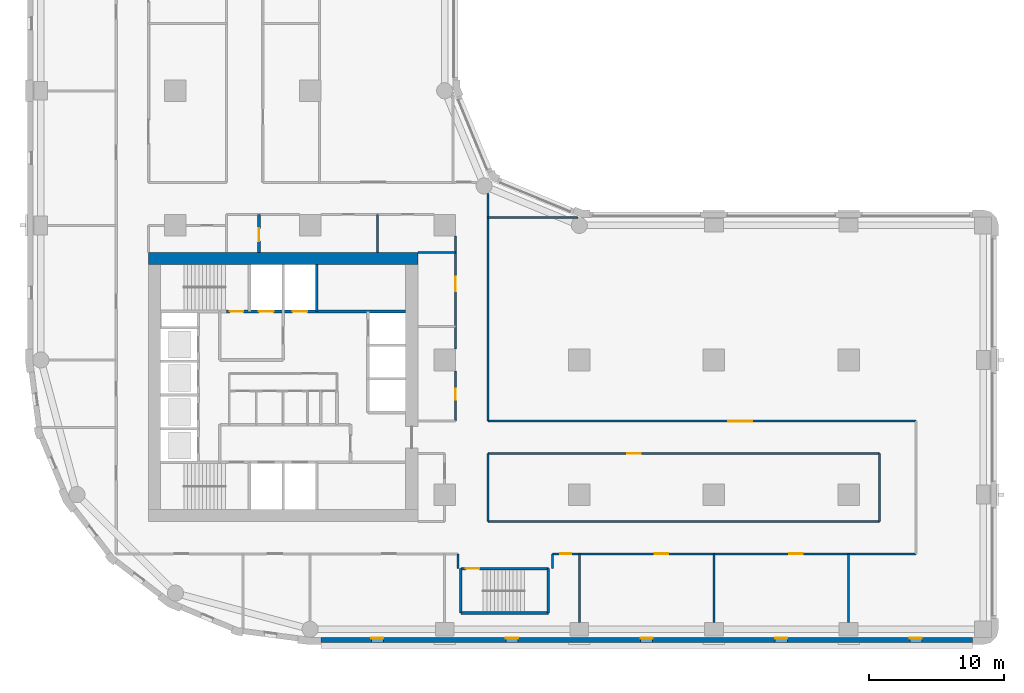
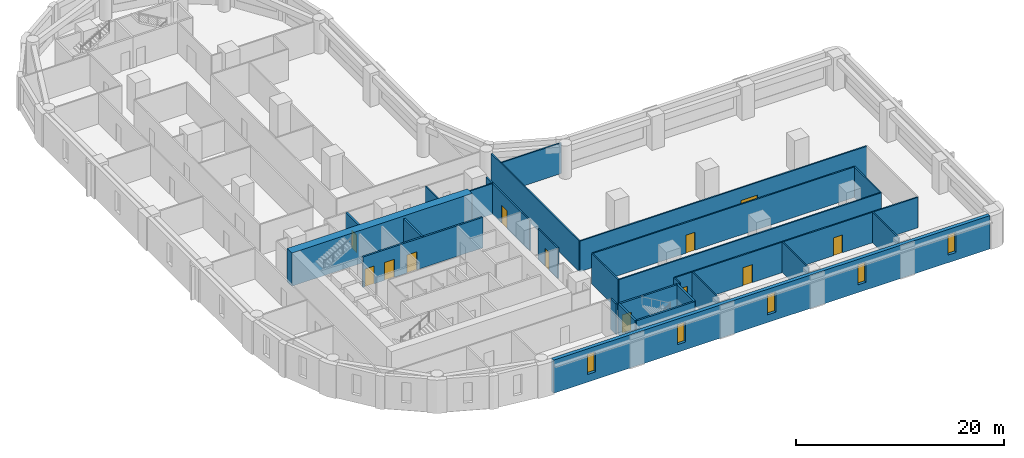
# One storey, part 4 of 10: 26 walls, 12 doors, 5 windows, 17 openings.
"""IFC4 building model written with IfcOpenShell, lengths in metres."""

from ifc_helpers import new_model, si_unit, direction, frame, frame_2d, origin, place, context, subcontext, project, spatial, rectangle, extrude, material, layer, layer_set, type_object, element, fill, save


model = new_model("IFC4")

# Units and contexts
model_context = context("Model", 3, precision=1e-05, world=origin(), true_north=direction((0.0, 1.0)))
body_context = subcontext(model_context, "Body", "Model", "MODEL_VIEW")
ifc_project = project(units=[si_unit("LENGTHUNIT", "METRE"), si_unit("AREAUNIT", "SQUARE_METRE"), si_unit("VOLUMEUNIT", "CUBIC_METRE"), si_unit("PLANEANGLEUNIT", "RADIAN"), si_unit("MASSUNIT", "GRAM", prefix="KILO")], contexts=[model_context])

# Site, building, storey
site_placement = place(None, origin())
site = spatial("IfcSite", under=ifc_project, at=site_placement, CompositionType="ELEMENT")
building_placement = place(site_placement, origin())
building = spatial("IfcBuilding", under=site, at=building_placement, Name="Qaws Garden Tower", CompositionType="ELEMENT")
storey_placement = place(building_placement, frame((0.0, 0.0, 93.89990234375)))
storey = spatial("IfcBuildingStorey", under=building, at=storey_placement, Name="L23", CompositionType="ELEMENT", Elevation=93.89990234375)

# Wall, opening, door
ifc_material_1 = material(Name="Blockwork", Category="masonry")
ifc_layer_1 = layer(ifc_material_1, 0.199951171875)
ifc_layer_set_1 = layer_set([ifc_layer_1], Name="Blockwork")
wall_type_1 = type_object("IfcWallType", Name="BLOCK WALL 200 EI 60", PredefinedType="PARTITIONING", material=ifc_layer_set_1)
wall_1_placement = place(storey_placement, frame((16.199951171875, 28.0, 0.0), z_axis=(0.0, 0.0, 1.0), x_axis=(0.0, 1.0, 0.0)))
wall_1 = element("IfcWall", 1, at=wall_1_placement, inside=storey, type_object=wall_type_1, Name="O-L23-wall-063", PredefinedType="PARTITIONING", context=body_context, shape_type="SweptSolid", body=[
    extrude(rectangle(XDim=2.800048828125, YDim=0.199951171875, at=frame_2d((1.39990234375, 0.0))), origin(), (0.0, 0.0, 1.0), 3.580078125),
])
opening_1_placement = place(wall_1_placement, frame((0.824951171875, 0.0, 0.0)))
opening_1 = element("IfcOpeningElement", 2, at=opening_1_placement, cuts=wall_1, Name="Opening A830", PredefinedType="OPENING", context=body_context, shape_type="SweptSolid", body=[
    extrude(rectangle(XDim=0.949951171875, YDim=2.10009765625, at=frame_2d((0.47509765625, 1.050048828125))), frame((0.0, 0.10986328125, 0.0), z_axis=(0.0, -1.0, 0.0), x_axis=(1.0, 0.0, 0.0)), (0.0, 0.0, 1.0), 0.219970703125),
])
ifc_material_2 = material(Name="Timber and glass door leaf", Category="wood")
door_type_1 = type_object("IfcDoorType", Name="GLAZED DOOR 950 X 2100", OperationType="SINGLE_SWING_LEFT", PredefinedType="DOOR", material=ifc_material_2)
door_1_placement = place(opening_1_placement, origin())
door_1 = element("IfcDoor", 3, at=door_1_placement, inside=storey, type_object=door_type_1, Name="O-L23-door-030", OperationType="SINGLE_SWING_LEFT", OverallHeight=2.10009765625, OverallWidth=0.949951171875, PredefinedType="DOOR", context=body_context, shape_type="SweptSolid", body=[
    extrude(rectangle(XDim=0.949951171875, YDim=2.10009765625, at=frame_2d((0.47509765625, 1.050048828125))), frame((0.0, 0.02490234375, 0.0), z_axis=(0.0, -1.0, 0.0), x_axis=(1.0, 0.0, 0.0)), (0.0, 0.0, 1.0), 0.050048828125),
])
fill(opening_1, door_1)

# Wall, openings, windows
ifc_material_3 = material(Name="Clay facing brick masonry", Category="masonry")
ifc_layer_2 = layer(ifc_material_3, 0.39990234375)
ifc_layer_set_2 = layer_set([ifc_layer_2], Name="Clay facing brick masonry")
wall_type_2 = type_object("IfcWallType", Name="Brick infill wall 400", PredefinedType="SOLIDWALL", material=ifc_layer_set_2)
wall_2_placement = place(storey_placement, frame((20.800048828125, -0.800048828125, 0.0), z_axis=(0.0, 0.0, 1.0), x_axis=(1.0, 0.0, 0.0)))
wall_2 = element("IfcWall", 4, at=wall_2_placement, inside=storey, type_object=wall_type_2, Name="E-L23-infill-00", PredefinedType="SOLIDWALL", context=body_context, shape_type="SweptSolid", body=[
    extrude(rectangle(XDim=48.39990234375, YDim=0.39990234375, at=frame_2d((24.199951171875, 0.0))), origin(), (0.0, 0.0, 1.0), 3.900146484375),
])
opening_2_placement = place(wall_2_placement, frame((3.75, 0.0, 0.89990234375)))
opening_2 = element("IfcOpeningElement", 5, at=opening_2_placement, cuts=wall_2, Name="Opening W09", PredefinedType="OPENING", context=body_context, shape_type="SweptSolid", body=[
    extrude(rectangle(XDim=0.89990234375, YDim=2.35009765625, at=frame_2d((0.449951171875, 1.175048828125))), frame((0.0, 0.2099609375, 0.0), z_axis=(0.0, -1.0, 0.0), x_axis=(1.0, 0.0, 0.0)), (0.0, 0.0, 1.0), 0.419921875),
])
opening_3_placement = place(wall_2_placement, frame((13.75, 0.0, 0.89990234375)))
opening_3 = element("IfcOpeningElement", 6, at=opening_3_placement, cuts=wall_2, Name="Opening W09", PredefinedType="OPENING", context=body_context, shape_type="SweptSolid", body=[
    extrude(rectangle(XDim=0.89990234375, YDim=2.35009765625, at=frame_2d((0.449951171875, 1.175048828125))), frame((0.0, 0.2099609375, 0.0), z_axis=(0.0, -1.0, 0.0), x_axis=(1.0, 0.0, 0.0)), (0.0, 0.0, 1.0), 0.419921875),
])
opening_4_placement = place(wall_2_placement, frame((23.75, 0.0, 0.89990234375)))
opening_4 = element("IfcOpeningElement", 7, at=opening_4_placement, cuts=wall_2, Name="Opening W09", PredefinedType="OPENING", context=body_context, shape_type="SweptSolid", body=[
    extrude(rectangle(XDim=0.89990234375, YDim=2.35009765625, at=frame_2d((0.449951171875, 1.175048828125))), frame((0.0, 0.2099609375, 0.0), z_axis=(0.0, -1.0, 0.0), x_axis=(1.0, 0.0, 0.0)), (0.0, 0.0, 1.0), 0.419921875),
])
opening_5_placement = place(wall_2_placement, frame((33.75, 0.0, 0.89990234375)))
opening_5 = element("IfcOpeningElement", 8, at=opening_5_placement, cuts=wall_2, Name="Opening W09", PredefinedType="OPENING", context=body_context, shape_type="SweptSolid", body=[
    extrude(rectangle(XDim=0.89990234375, YDim=2.35009765625, at=frame_2d((0.449951171875, 1.175048828125))), frame((0.0, 0.2099609375, 0.0), z_axis=(0.0, -1.0, 0.0), x_axis=(1.0, 0.0, 0.0)), (0.0, 0.0, 1.0), 0.419921875),
])
opening_6_placement = place(wall_2_placement, frame((43.75, 0.0, 0.89990234375)))
opening_6 = element("IfcOpeningElement", 9, at=opening_6_placement, cuts=wall_2, Name="Opening W09", PredefinedType="OPENING", context=body_context, shape_type="SweptSolid", body=[
    extrude(rectangle(XDim=0.89990234375, YDim=2.35009765625, at=frame_2d((0.449951171875, 1.175048828125))), frame((0.0, 0.2099609375, 0.0), z_axis=(0.0, -1.0, 0.0), x_axis=(1.0, 0.0, 0.0)), (0.0, 0.0, 1.0), 0.419921875),
])
ifc_material_4 = material(Name="Aluminium framed window, clear glazing", Category="aluminium")
window_type = type_object("IfcWindowType", Name="Slit window 900 x 2350", PartitioningType="SINGLE_PANEL", PredefinedType="WINDOW", material=ifc_material_4)
window_1_placement = place(opening_2_placement, origin())
window_1 = element("IfcWindow", 10, at=window_1_placement, inside=storey, type_object=window_type, Name="E-L23-window-00-0", OverallHeight=2.35009765625, OverallWidth=0.89990234375, PartitioningType="SINGLE_PANEL", PredefinedType="WINDOW", context=body_context, shape_type="SweptSolid", body=[
    extrude(rectangle(XDim=0.89990234375, YDim=2.35009765625, at=frame_2d((0.449951171875, 1.175048828125))), frame((0.0, 0.159912109375, 0.0), z_axis=(0.0, -1.0, 0.0), x_axis=(1.0, 0.0, 0.0)), (0.0, 0.0, 1.0), 0.06005859375),
])
fill(opening_2, window_1)
window_2_placement = place(opening_3_placement, origin())
window_2 = element("IfcWindow", 11, at=window_2_placement, inside=storey, type_object=window_type, Name="E-L23-window-01-0", OverallHeight=2.35009765625, OverallWidth=0.89990234375, PartitioningType="SINGLE_PANEL", PredefinedType="WINDOW", context=body_context, shape_type="SweptSolid", body=[
    extrude(rectangle(XDim=0.89990234375, YDim=2.35009765625, at=frame_2d((0.449951171875, 1.175048828125))), frame((0.0, 0.159912109375, 0.0), z_axis=(0.0, -1.0, 0.0), x_axis=(1.0, 0.0, 0.0)), (0.0, 0.0, 1.0), 0.06005859375),
])
fill(opening_3, window_2)
window_3_placement = place(opening_4_placement, origin())
window_3 = element("IfcWindow", 12, at=window_3_placement, inside=storey, type_object=window_type, Name="E-L23-window-02-0", OverallHeight=2.35009765625, OverallWidth=0.89990234375, PartitioningType="SINGLE_PANEL", PredefinedType="WINDOW", context=body_context, shape_type="SweptSolid", body=[
    extrude(rectangle(XDim=0.89990234375, YDim=2.35009765625, at=frame_2d((0.449951171875, 1.175048828125))), frame((0.0, 0.159912109375, 0.0), z_axis=(0.0, -1.0, 0.0), x_axis=(1.0, 0.0, 0.0)), (0.0, 0.0, 1.0), 0.06005859375),
])
fill(opening_4, window_3)
window_4_placement = place(opening_5_placement, origin())
window_4 = element("IfcWindow", 13, at=window_4_placement, inside=storey, type_object=window_type, Name="E-L23-window-03-0", OverallHeight=2.35009765625, OverallWidth=0.89990234375, PartitioningType="SINGLE_PANEL", PredefinedType="WINDOW", context=body_context, shape_type="SweptSolid", body=[
    extrude(rectangle(XDim=0.89990234375, YDim=2.35009765625, at=frame_2d((0.449951171875, 1.175048828125))), frame((0.0, 0.159912109375, 0.0), z_axis=(0.0, -1.0, 0.0), x_axis=(1.0, 0.0, 0.0)), (0.0, 0.0, 1.0), 0.06005859375),
])
fill(opening_5, window_4)
window_5_placement = place(opening_6_placement, origin())
window_5 = element("IfcWindow", 14, at=window_5_placement, inside=storey, type_object=window_type, Name="E-L23-window-04-0", OverallHeight=2.35009765625, OverallWidth=0.89990234375, PartitioningType="SINGLE_PANEL", PredefinedType="WINDOW", context=body_context, shape_type="SweptSolid", body=[
    extrude(rectangle(XDim=0.89990234375, YDim=2.35009765625, at=frame_2d((0.449951171875, 1.175048828125))), frame((0.0, 0.159912109375, 0.0), z_axis=(0.0, -1.0, 0.0), x_axis=(1.0, 0.0, 0.0)), (0.0, 0.0, 1.0), 0.06005859375),
])
fill(opening_6, window_5)

# Wall
ifc_material_5 = material(Name="Concrete C80", Category="concrete")
ifc_layer_3 = layer(ifc_material_5, 0.199951171875)
ifc_layer_set_3 = layer_set([ifc_layer_3], Name="Concrete C80")
wall_type_3 = type_object("IfcWallType", Name="Core shaft wall 200 C80", PredefinedType="SHEAR", material=ifc_layer_set_3)
wall_3_placement = place(storey_placement, frame((31.199951171875, 1.199951171875, 0.0), z_axis=(0.0, 0.0, 1.0), x_axis=(1.0, 0.0, 0.0)))
element("IfcWall", 15, at=wall_3_placement, inside=storey, type_object=wall_type_3, Name="Shaft wall", PredefinedType="SHEAR", context=body_context, shape_type="SweptSolid", body=[
    extrude(rectangle(XDim=6.5, YDim=0.199951171875, at=frame_2d((3.25, 0.0))), origin(), (0.0, 0.0, 1.0), 3.580078125),
])

# Wall, opening, door
wall_4_placement = place(storey_placement, frame((31.199951171875, 4.5, 0.0), z_axis=(0.0, 0.0, 1.0), x_axis=(1.0, 0.0, 0.0)))
wall_4 = element("IfcWall", 16, at=wall_4_placement, inside=storey, type_object=wall_type_3, Name="Shaft wall", PredefinedType="SHEAR", context=body_context, shape_type="SweptSolid", body=[
    extrude(rectangle(XDim=6.5, YDim=0.199951171875, at=frame_2d((3.25, 0.0))), origin(), (0.0, 0.0, 1.0), 3.580078125),
])
opening_7_placement = place(wall_4_placement, frame((0.375, 0.0, 0.0)))
opening_7 = element("IfcOpeningElement", 17, at=opening_7_placement, cuts=wall_4, Name="Opening SD12", PredefinedType="OPENING", context=body_context, shape_type="SweptSolid", body=[
    extrude(rectangle(XDim=1.0, YDim=2.10009765625, at=frame_2d((0.5, 1.050048828125))), frame((0.0, 0.10986328125, 0.0), z_axis=(0.0, -1.0, 0.0), x_axis=(1.0, 0.0, 0.0)), (0.0, 0.0, 1.0), 0.219970703125),
])
ifc_material_6 = material(Name="Steel S235", Category="steel")
door_type_2 = type_object("IfcDoorType", Name="Stair door 1000x2100", OperationType="SINGLE_SWING_RIGHT", PredefinedType="DOOR", material=ifc_material_6)
door_2_placement = place(opening_7_placement, frame((1.0, 0.0, 0.0), z_axis=(0.0, 0.0, 1.0), x_axis=(-1.0, 0.0, 0.0)))
door_2 = element("IfcDoor", 18, at=door_2_placement, inside=storey, type_object=door_type_2, Name="Stair 5 door", OperationType="SINGLE_SWING_RIGHT", OverallHeight=2.10009765625, OverallWidth=1.0, PredefinedType="DOOR", context=body_context, shape_type="SweptSolid", body=[
    extrude(rectangle(XDim=1.0, YDim=2.10009765625, at=frame_2d((0.5, 1.050048828125))), frame((0.0, 0.02490234375, 0.0), z_axis=(0.0, -1.0, 0.0), x_axis=(1.0, 0.0, 0.0)), (0.0, 0.0, 1.0), 0.050048828125),
])
fill(opening_7, door_2)

# Wall, openings, doors
wall_5_placement = place(storey_placement, frame((13.800048828125, 23.60009765625, 0.0), z_axis=(0.0, 0.0, 1.0), x_axis=(1.0, 0.0, 0.0)))
wall_5 = element("IfcWall", 19, at=wall_5_placement, inside=storey, type_object=wall_type_3, Name="Shaft wall", PredefinedType="SHEAR", context=body_context, shape_type="SweptSolid", body=[
    extrude(rectangle(XDim=13.300048828125, YDim=0.199951171875, at=frame_2d((6.64990234375, 0.0))), origin(), (0.0, 0.0, 1.0), 3.580078125),
])
opening_8_placement = place(wall_5_placement, frame((2.39990234375, 0.0, 0.0)))
opening_8 = element("IfcOpeningElement", 20, at=opening_8_placement, cuts=wall_5, Name="Opening LD08", PredefinedType="OPENING", context=body_context, shape_type="SweptSolid", body=[
    extrude(rectangle(XDim=1.10009765625, YDim=2.10009765625, at=frame_2d((0.550048828125, 1.050048828125))), frame((0.0, 0.10986328125, 0.0), z_axis=(0.0, -1.0, 0.0), x_axis=(1.0, 0.0, 0.0)), (0.0, 0.0, 1.0), 0.219970703125),
])
opening_9_placement = place(wall_5_placement, frame((4.89990234375, 0.0, 0.0)))
opening_9 = element("IfcOpeningElement", 21, at=opening_9_placement, cuts=wall_5, Name="Opening LD09", PredefinedType="OPENING", context=body_context, shape_type="SweptSolid", body=[
    extrude(rectangle(XDim=1.10009765625, YDim=2.10009765625, at=frame_2d((0.550048828125, 1.050048828125))), frame((0.0, 0.10986328125, 0.0), z_axis=(0.0, -1.0, 0.0), x_axis=(1.0, 0.0, 0.0)), (0.0, 0.0, 1.0), 0.219970703125),
])
opening_10_placement = place(wall_5_placement, frame((0.25, 0.0, 0.0)))
opening_10 = element("IfcOpeningElement", 22, at=opening_10_placement, cuts=wall_5, Name="Opening SD11", PredefinedType="OPENING", context=body_context, shape_type="SweptSolid", body=[
    extrude(rectangle(XDim=1.0, YDim=2.10009765625, at=frame_2d((0.5, 1.050048828125))), frame((0.0, 0.10986328125, 0.0), z_axis=(0.0, -1.0, 0.0), x_axis=(1.0, 0.0, 0.0)), (0.0, 0.0, 1.0), 0.219970703125),
])
ifc_material_7 = material(Name="Steel S235", Category="steel")
door_type_3 = type_object("IfcDoorType", Name="Landing door 1100x2100", OperationType="DOUBLE_DOOR_SLIDING", PredefinedType="DOOR", material=ifc_material_7)
door_3_placement = place(opening_8_placement, origin())
door_3 = element("IfcDoor", 23, at=door_3_placement, inside=storey, type_object=door_type_3, Name="Lift FF3 landing door", OperationType="DOUBLE_DOOR_SLIDING", OverallHeight=2.10009765625, OverallWidth=1.10009765625, PredefinedType="DOOR", context=body_context, shape_type="SweptSolid", body=[
    extrude(rectangle(XDim=1.10009765625, YDim=2.10009765625, at=frame_2d((0.550048828125, 1.050048828125))), frame((0.0, 0.02490234375, 0.0), z_axis=(0.0, -1.0, 0.0), x_axis=(1.0, 0.0, 0.0)), (0.0, 0.0, 1.0), 0.050048828125),
])
fill(opening_8, door_3)
door_4_placement = place(opening_9_placement, origin())
door_4 = element("IfcDoor", 24, at=door_4_placement, inside=storey, type_object=door_type_3, Name="Lift SV2 landing door", OperationType="DOUBLE_DOOR_SLIDING", OverallHeight=2.10009765625, OverallWidth=1.10009765625, PredefinedType="DOOR", context=body_context, shape_type="SweptSolid", body=[
    extrude(rectangle(XDim=1.10009765625, YDim=2.10009765625, at=frame_2d((0.550048828125, 1.050048828125))), frame((0.0, 0.02490234375, 0.0), z_axis=(0.0, -1.0, 0.0), x_axis=(1.0, 0.0, 0.0)), (0.0, 0.0, 1.0), 0.050048828125),
])
fill(opening_9, door_4)
door_5_placement = place(opening_10_placement, origin())
door_5 = element("IfcDoor", 25, at=door_5_placement, inside=storey, type_object=door_type_2, Name="Stair 4 door", OperationType="SINGLE_SWING_RIGHT", OverallHeight=2.10009765625, OverallWidth=1.0, PredefinedType="DOOR", context=body_context, shape_type="SweptSolid", body=[
    extrude(rectangle(XDim=1.0, YDim=2.10009765625, at=frame_2d((0.5, 1.050048828125))), frame((0.0, 0.02490234375, 0.0), z_axis=(0.0, -1.0, 0.0), x_axis=(1.0, 0.0, 0.0)), (0.0, 0.0, 1.0), 0.050048828125),
])
fill(opening_10, door_5)

# Walls
wall_6_placement = place(storey_placement, frame((20.5, 23.60009765625, 0.0), z_axis=(0.0, 0.0, 1.0), x_axis=(0.0, 1.0, 0.0)))
element("IfcWall", 26, at=wall_6_placement, inside=storey, type_object=wall_type_3, Name="Shaft wall", PredefinedType="SHEAR", context=body_context, shape_type="SweptSolid", body=[
    extrude(rectangle(XDim=3.5, YDim=0.199951171875, at=frame_2d((1.75, 0.0))), origin(), (0.0, 0.0, 1.0), 3.580078125),
])
for number, where, z_axis, x_axis, name in (
    (27, (31.199951171875, 1.199951171875, 0.0), (0.0, 0.0, 1.0), (0.0, 1.0, 0.0), "Shaft wall"),
    (28, (37.699951171875, 1.199951171875, 0.0), (0.0, 0.0, 1.0), (0.0, 1.0, 0.0), "Shaft wall"),
):
    element("IfcWall", number, at=place(storey_placement, frame(where, z_axis=z_axis, x_axis=x_axis)), inside=storey, type_object=wall_type_3, Name=name, PredefinedType="SHEAR", context=body_context, shape_type="SweptSolid", body=[
        extrude(rectangle(XDim=3.300048828125, YDim=0.199951171875, at=frame_2d((1.64990234375, 0.0))), origin(), (0.0, 0.0, 1.0), 3.580078125),
    ])
ifc_material_8 = material(Name="Concrete C80", Category="concrete")
ifc_layer_4 = layer(ifc_material_8, 0.89990234375)
ifc_layer_set_4 = layer_set([ifc_layer_4], Name="Concrete C80")
wall_type_4 = type_object("IfcWallType", Name="Core wall 900 C80", PredefinedType="SHEAR", material=ifc_layer_set_4)
wall_7_placement = place(storey_placement, frame((28.0, 27.550048828125, 0.0), z_axis=(0.0, 0.0, 1.0), x_axis=(-1.0, 0.0, 0.0)))
element("IfcWall", 29, at=wall_7_placement, inside=storey, type_object=wall_type_4, Name="Core wall L23 north", PredefinedType="SHEAR", context=body_context, shape_type="SweptSolid", body=[
    extrude(rectangle(XDim=20.0, YDim=0.89990234375, at=frame_2d((10.0, 0.0))), origin(), (0.0, 0.0, 1.0), 3.900146484375),
])
ifc_material_9 = material(Name="Gypsum board partition")
ifc_layer_5 = layer(ifc_material_9, 0.14990234375)
ifc_layer_set_5 = layer_set([ifc_layer_5], Name="Gypsum board partition")
wall_type_5 = type_object("IfcWallType", Name="PARTITION 150 EI 60", PredefinedType="PARTITIONING", material=ifc_layer_set_5)
wall_8_placement = place(storey_placement, frame((25.0, 28.0, 0.0), z_axis=(0.0, 0.0, 1.0), x_axis=(0.0, 1.0, 0.0)))
element("IfcWall", 30, at=wall_8_placement, inside=storey, type_object=wall_type_5, Name="O-L23-wall-014", PredefinedType="PARTITIONING", context=body_context, shape_type="SweptSolid", body=[
    extrude(rectangle(XDim=2.800048828125, YDim=0.14990234375, at=frame_2d((1.39990234375, 0.0))), origin(), (0.0, 0.0, 1.0), 3.580078125),
])

# Wall, opening, door
wall_9_placement = place(storey_placement, frame((30.800048828125, 15.449951171875, 0.0), z_axis=(0.0, 0.0, 1.0), x_axis=(0.0, 1.0, 0.0)))
wall_9 = element("IfcWall", 31, at=wall_9_placement, inside=storey, type_object=wall_type_5, Name="O-L23-wall-020", PredefinedType="PARTITIONING", context=body_context, shape_type="SweptSolid", body=[
    extrude(rectangle(XDim=3.75, YDim=0.14990234375, at=frame_2d((1.875, 0.0))), origin(), (0.0, 0.0, 1.0), 3.580078125),
])
opening_11_placement = place(wall_9_placement, frame((1.60009765625, 0.0, 0.0)))
opening_11 = element("IfcOpeningElement", 32, at=opening_11_placement, cuts=wall_9, Name="Opening A808", PredefinedType="OPENING", context=body_context, shape_type="SweptSolid", body=[
    extrude(rectangle(XDim=0.800048828125, YDim=2.10009765625, at=frame_2d((0.39990234375, 1.050048828125))), frame((0.0, 0.0849609375, 0.0), z_axis=(0.0, -1.0, 0.0), x_axis=(1.0, 0.0, 0.0)), (0.0, 0.0, 1.0), 0.169921875),
])
ifc_material_10 = material(Name="Timber door leaf", Category="wood")
door_type_4 = type_object("IfcDoorType", Name="STORE DOOR 800 X 2100", OperationType="SINGLE_SWING_LEFT", PredefinedType="DOOR", material=ifc_material_10)
door_6_placement = place(opening_11_placement, origin())
door_6 = element("IfcDoor", 33, at=door_6_placement, inside=storey, type_object=door_type_4, Name="O-L23-door-008", OperationType="SINGLE_SWING_RIGHT", OverallHeight=2.10009765625, OverallWidth=0.800048828125, PredefinedType="DOOR", context=body_context, shape_type="SweptSolid", body=[
    extrude(rectangle(XDim=0.800048828125, YDim=2.10009765625, at=frame_2d((0.39990234375, 1.050048828125))), frame((0.0, 0.02490234375, 0.0), z_axis=(0.0, -1.0, 0.0), x_axis=(1.0, 0.0, 0.0)), (0.0, 0.0, 1.0), 0.050048828125),
])
fill(opening_11, door_6)

wall_10_placement = place(storey_placement, frame((30.800048828125, 20.800048828125, 0.0), z_axis=(0.0, 0.0, 1.0), x_axis=(0.0, 1.0, 0.0)))
wall_10 = element("IfcWall", 34, at=wall_10_placement, inside=storey, type_object=wall_type_5, Name="O-L23-wall-021", PredefinedType="PARTITIONING", context=body_context, shape_type="SweptSolid", body=[
    extrude(rectangle(XDim=8.39990234375, YDim=0.14990234375, at=frame_2d((4.199951171875, 0.0))), origin(), (0.0, 0.0, 1.0), 3.580078125),
])
opening_12_placement = place(wall_10_placement, frame((4.300048828125, 0.0, 0.0)))
opening_12 = element("IfcOpeningElement", 35, at=opening_12_placement, cuts=wall_10, Name="Opening A809", PredefinedType="OPENING", context=body_context, shape_type="SweptSolid", body=[
    extrude(rectangle(XDim=1.10009765625, YDim=2.10009765625, at=frame_2d((0.550048828125, 1.050048828125))), frame((0.0, 0.0849609375, 0.0), z_axis=(0.0, -1.0, 0.0), x_axis=(1.0, 0.0, 0.0)), (0.0, 0.0, 1.0), 0.169921875),
])
ifc_material_11 = material(Name="Timber door leaf", Category="wood")
door_type_5 = type_object("IfcDoorType", Name="SERVICE ROOM DOOR 1100 X 2100", OperationType="SINGLE_SWING_LEFT", PredefinedType="DOOR", material=ifc_material_11)
door_7_placement = place(opening_12_placement, origin())
door_7 = element("IfcDoor", 36, at=door_7_placement, inside=storey, type_object=door_type_5, Name="O-L23-door-009", OperationType="SINGLE_SWING_RIGHT", OverallHeight=2.10009765625, OverallWidth=1.10009765625, PredefinedType="DOOR", context=body_context, shape_type="SweptSolid", body=[
    extrude(rectangle(XDim=1.10009765625, YDim=2.10009765625, at=frame_2d((0.550048828125, 1.050048828125))), frame((0.0, 0.02490234375, 0.0), z_axis=(0.0, -1.0, 0.0), x_axis=(1.0, 0.0, 0.0)), (0.0, 0.0, 1.0), 0.050048828125),
])
fill(opening_12, door_7)

# Walls
wall_11_placement = place(storey_placement, frame((31.0, 4.5, 0.0), z_axis=(0.0, 0.0, 1.0), x_axis=(0.0, 1.0, 0.0)))
element("IfcWall", 37, at=wall_11_placement, inside=storey, type_object=wall_type_5, Name="O-L23-wall-022", PredefinedType="PARTITIONING", context=body_context, shape_type="SweptSolid", body=[
    extrude(rectangle(XDim=1.10009765625, YDim=0.14990234375, at=frame_2d((0.550048828125, 0.0))), origin(), (0.0, 0.0, 1.0), 3.580078125),
])
wall_12_placement = place(storey_placement, frame((33.199951171875, 8.0, 0.0), z_axis=(0.0, 0.0, 1.0), x_axis=(0.0, 1.0, 0.0)))
element("IfcWall", 38, at=wall_12_placement, inside=storey, type_object=wall_type_5, Name="O-L23-wall-023", PredefinedType="PARTITIONING", context=body_context, shape_type="SweptSolid", body=[
    extrude(rectangle(XDim=5.050048828125, YDim=0.14990234375, at=frame_2d((2.52490234375, 0.0))), origin(), (0.0, 0.0, 1.0), 3.580078125),
])
wall_13_placement = place(storey_placement, frame((33.199951171875, 15.449951171875, 0.0), z_axis=(0.0, 0.0, 1.0), x_axis=(0.0, 1.0, 0.0)))
element("IfcWall", 39, at=wall_13_placement, inside=storey, type_object=wall_type_5, Name="O-L23-wall-024", PredefinedType="PARTITIONING", context=body_context, shape_type="SweptSolid", body=[
    extrude(rectangle(XDim=16.912109375, YDim=0.14990234375, at=frame_2d((8.4560546875, 0.0))), origin(), (0.0, 0.0, 1.0), 3.580078125),
])
wall_14_placement = place(storey_placement, frame((38.0, 4.5, 0.0), z_axis=(0.0, 0.0, 1.0), x_axis=(0.0, 1.0, 0.0)))
element("IfcWall", 40, at=wall_14_placement, inside=storey, type_object=wall_type_5, Name="O-L23-wall-025", PredefinedType="PARTITIONING", context=body_context, shape_type="SweptSolid", body=[
    extrude(rectangle(XDim=1.10009765625, YDim=0.14990234375, at=frame_2d((0.550048828125, 0.0))), origin(), (0.0, 0.0, 1.0), 3.580078125),
])
for number, where, z_axis, x_axis, name in (
    (41, (40.0, 0.5, 0.0), (0.0, 0.0, 1.0), (0.0, 1.0, 0.0), "O-L23-wall-026"),
    (42, (50.0, 0.5, 0.0), (0.0, 0.0, 1.0), (0.0, 1.0, 0.0), "O-L23-wall-027"),
    (43, (60.0, 0.5, 0.0), (0.0, 0.0, 1.0), (0.0, 1.0, 0.0), "O-L23-wall-028"),
):
    element("IfcWall", number, at=place(storey_placement, frame(where, z_axis=z_axis, x_axis=x_axis)), inside=storey, type_object=wall_type_5, Name=name, PredefinedType="PARTITIONING", context=body_context, shape_type="SweptSolid", body=[
        extrude(rectangle(XDim=5.10009765625, YDim=0.14990234375, at=frame_2d((2.550048828125, 0.0))), origin(), (0.0, 0.0, 1.0), 3.580078125),
    ])
wall_15_placement = place(storey_placement, frame((62.300048828125, 8.0, 0.0), z_axis=(0.0, 0.0, 1.0), x_axis=(0.0, 1.0, 0.0)))
element("IfcWall", 44, at=wall_15_placement, inside=storey, type_object=wall_type_5, Name="O-L23-wall-029", PredefinedType="PARTITIONING", context=body_context, shape_type="SweptSolid", body=[
    extrude(rectangle(XDim=5.050048828125, YDim=0.14990234375, at=frame_2d((2.52490234375, 0.0))), origin(), (0.0, 0.0, 1.0), 3.580078125),
])

# Wall, openings, doors
wall_16_placement = place(storey_placement, frame((38.0, 5.60009765625, 0.0), z_axis=(0.0, 0.0, 1.0), x_axis=(1.0, 0.0, 0.0)))
wall_16 = element("IfcWall", 45, at=wall_16_placement, inside=storey, type_object=wall_type_5, Name="O-L23-wall-032", PredefinedType="PARTITIONING", context=body_context, shape_type="SweptSolid", body=[
    extrude(rectangle(XDim=27.0, YDim=0.14990234375, at=frame_2d((13.5, 0.0))), origin(), (0.0, 0.0, 1.0), 3.580078125),
])
opening_13_placement = place(wall_16_placement, frame((7.60009765625, 0.0, 0.0)))
opening_13 = element("IfcOpeningElement", 46, at=opening_13_placement, cuts=wall_16, Name="Opening A803", PredefinedType="OPENING", context=body_context, shape_type="SweptSolid", body=[
    extrude(rectangle(XDim=1.0, YDim=2.10009765625, at=frame_2d((0.5, 1.050048828125))), frame((0.0, 0.0849609375, 0.0), z_axis=(0.0, -1.0, 0.0), x_axis=(1.0, 0.0, 0.0)), (0.0, 0.0, 1.0), 0.169921875),
])
opening_14_placement = place(wall_16_placement, frame((17.60009765625, 0.0, 0.0)))
opening_14 = element("IfcOpeningElement", 47, at=opening_14_placement, cuts=wall_16, Name="Opening A804", PredefinedType="OPENING", context=body_context, shape_type="SweptSolid", body=[
    extrude(rectangle(XDim=1.0, YDim=2.10009765625, at=frame_2d((0.5, 1.050048828125))), frame((0.0, 0.0849609375, 0.0), z_axis=(0.0, -1.0, 0.0), x_axis=(1.0, 0.0, 0.0)), (0.0, 0.0, 1.0), 0.169921875),
])
opening_15_placement = place(wall_16_placement, frame((0.60009765625, 0.0, 0.0)))
opening_15 = element("IfcOpeningElement", 48, at=opening_15_placement, cuts=wall_16, Name="Opening A829", PredefinedType="OPENING", context=body_context, shape_type="SweptSolid", body=[
    extrude(rectangle(XDim=0.800048828125, YDim=2.10009765625, at=frame_2d((0.39990234375, 1.050048828125))), frame((0.0, 0.0849609375, 0.0), z_axis=(0.0, -1.0, 0.0), x_axis=(1.0, 0.0, 0.0)), (0.0, 0.0, 1.0), 0.169921875),
])
door_8_placement = place(opening_15_placement, frame((0.800048828125, 0.0, 0.0), z_axis=(0.0, 0.0, 1.0), x_axis=(-1.0, 0.0, 0.0)))
door_8 = element("IfcDoor", 49, at=door_8_placement, inside=storey, type_object=door_type_4, Name="O-L23-door-029", OperationType="SINGLE_SWING_RIGHT", OverallHeight=2.10009765625, OverallWidth=0.800048828125, PredefinedType="DOOR", context=body_context, shape_type="SweptSolid", body=[
    extrude(rectangle(XDim=0.800048828125, YDim=2.10009765625, at=frame_2d((0.39990234375, 1.050048828125))), frame((0.0, 0.02490234375, 0.0), z_axis=(0.0, -1.0, 0.0), x_axis=(1.0, 0.0, 0.0)), (0.0, 0.0, 1.0), 0.050048828125),
])
fill(opening_15, door_8)
ifc_material_12 = material(Name="Timber door leaf", Category="wood")
door_type_6 = type_object("IfcDoorType", Name="TENANCY ENTRANCE DOOR 1000 X 2100", OperationType="SINGLE_SWING_LEFT", PredefinedType="DOOR", material=ifc_material_12)
door_9_placement = place(opening_13_placement, frame((1.0, 0.0, 0.0), z_axis=(0.0, 0.0, 1.0), x_axis=(-1.0, 0.0, 0.0)))
door_9 = element("IfcDoor", 50, at=door_9_placement, inside=storey, type_object=door_type_6, Name="O-L23-door-003", OperationType="SINGLE_SWING_RIGHT", OverallHeight=2.10009765625, OverallWidth=1.0, PredefinedType="DOOR", context=body_context, shape_type="SweptSolid", body=[
    extrude(rectangle(XDim=1.0, YDim=2.10009765625, at=frame_2d((0.5, 1.050048828125))), frame((0.0, 0.02490234375, 0.0), z_axis=(0.0, -1.0, 0.0), x_axis=(1.0, 0.0, 0.0)), (0.0, 0.0, 1.0), 0.050048828125),
])
fill(opening_13, door_9)
door_10_placement = place(opening_14_placement, frame((1.0, 0.0, 0.0), z_axis=(0.0, 0.0, 1.0), x_axis=(-1.0, 0.0, 0.0)))
door_10 = element("IfcDoor", 51, at=door_10_placement, inside=storey, type_object=door_type_6, Name="O-L23-door-004", OperationType="SINGLE_SWING_RIGHT", OverallHeight=2.10009765625, OverallWidth=1.0, PredefinedType="DOOR", context=body_context, shape_type="SweptSolid", body=[
    extrude(rectangle(XDim=1.0, YDim=2.10009765625, at=frame_2d((0.5, 1.050048828125))), frame((0.0, 0.02490234375, 0.0), z_axis=(0.0, -1.0, 0.0), x_axis=(1.0, 0.0, 0.0)), (0.0, 0.0, 1.0), 0.050048828125),
])
fill(opening_14, door_10)

# Wall
wall_17_placement = place(storey_placement, frame((33.199951171875, 8.0, 0.0), z_axis=(0.0, 0.0, 1.0), x_axis=(1.0, 0.0, 0.0)))
element("IfcWall", 52, at=wall_17_placement, inside=storey, type_object=wall_type_5, Name="O-L23-wall-034", PredefinedType="PARTITIONING", context=body_context, shape_type="SweptSolid", body=[
    extrude(rectangle(XDim=29.10009765625, YDim=0.14990234375, at=frame_2d((14.550048828125, 0.0))), origin(), (0.0, 0.0, 1.0), 3.580078125),
])

# Wall, opening, door
wall_18_placement = place(storey_placement, frame((33.199951171875, 13.050048828125, 0.0), z_axis=(0.0, 0.0, 1.0), x_axis=(1.0, 0.0, 0.0)))
wall_18 = element("IfcWall", 53, at=wall_18_placement, inside=storey, type_object=wall_type_5, Name="O-L23-wall-036", PredefinedType="PARTITIONING", context=body_context, shape_type="SweptSolid", body=[
    extrude(rectangle(XDim=29.10009765625, YDim=0.14990234375, at=frame_2d((14.550048828125, 0.0))), origin(), (0.0, 0.0, 1.0), 3.580078125),
])
opening_16_placement = place(wall_18_placement, frame((10.35009765625, 0.0, 0.0)))
opening_16 = element("IfcOpeningElement", 54, at=opening_16_placement, cuts=wall_18, Name="Opening A805", PredefinedType="OPENING", context=body_context, shape_type="SweptSolid", body=[
    extrude(rectangle(XDim=1.0, YDim=2.10009765625, at=frame_2d((0.5, 1.050048828125))), frame((0.0, 0.0849609375, 0.0), z_axis=(0.0, -1.0, 0.0), x_axis=(1.0, 0.0, 0.0)), (0.0, 0.0, 1.0), 0.169921875),
])
door_11_placement = place(opening_16_placement, frame((1.0, 0.0, 0.0), z_axis=(0.0, 0.0, 1.0), x_axis=(-1.0, 0.0, 0.0)))
door_11 = element("IfcDoor", 55, at=door_11_placement, inside=storey, type_object=door_type_6, Name="O-L23-door-005", OperationType="SINGLE_SWING_RIGHT", OverallHeight=2.10009765625, OverallWidth=1.0, PredefinedType="DOOR", context=body_context, shape_type="SweptSolid", body=[
    extrude(rectangle(XDim=1.0, YDim=2.10009765625, at=frame_2d((0.5, 1.050048828125))), frame((0.0, 0.02490234375, 0.0), z_axis=(0.0, -1.0, 0.0), x_axis=(1.0, 0.0, 0.0)), (0.0, 0.0, 1.0), 0.050048828125),
])
fill(opening_16, door_11)

wall_19_placement = place(storey_placement, frame((33.199951171875, 15.449951171875, 0.0), z_axis=(0.0, 0.0, 1.0), x_axis=(1.0, 0.0, 0.0)))
wall_19 = element("IfcWall", 56, at=wall_19_placement, inside=storey, type_object=wall_type_5, Name="O-L23-wall-039", PredefinedType="PARTITIONING", context=body_context, shape_type="SweptSolid", body=[
    extrude(rectangle(XDim=31.800048828125, YDim=0.14990234375, at=frame_2d((15.89990234375, 0.0))), origin(), (0.0, 0.0, 1.0), 3.580078125),
])
opening_17_placement = place(wall_19_placement, frame((17.85009765625, 0.0, 0.0)))
opening_17 = element("IfcOpeningElement", 57, at=opening_17_placement, cuts=wall_19, Name="Opening A806", PredefinedType="OPENING", context=body_context, shape_type="SweptSolid", body=[
    extrude(rectangle(XDim=1.800048828125, YDim=2.10009765625, at=frame_2d((0.89990234375, 1.050048828125))), frame((0.0, 0.0849609375, 0.0), z_axis=(0.0, -1.0, 0.0), x_axis=(1.0, 0.0, 0.0)), (0.0, 0.0, 1.0), 0.169921875),
])
ifc_material_13 = material(Name="Timber door leaf", Category="wood")
door_type_7 = type_object("IfcDoorType", Name="DOUBLE DOOR 1800 X 2100", OperationType="DOUBLE_DOOR_SINGLE_SWING", PredefinedType="DOOR", material=ifc_material_13)
door_12_placement = place(opening_17_placement, origin())
door_12 = element("IfcDoor", 58, at=door_12_placement, inside=storey, type_object=door_type_7, Name="O-L23-door-006", OperationType="DOUBLE_DOOR_SINGLE_SWING", OverallHeight=2.10009765625, OverallWidth=1.800048828125, PredefinedType="DOOR", context=body_context, shape_type="SweptSolid", body=[
    extrude(rectangle(XDim=1.800048828125, YDim=2.10009765625, at=frame_2d((0.89990234375, 1.050048828125))), frame((0.0, 0.02490234375, 0.0), z_axis=(0.0, -1.0, 0.0), x_axis=(1.0, 0.0, 0.0)), (0.0, 0.0, 1.0), 0.050048828125),
])
fill(opening_17, door_12)

# Walls
wall_20_placement = place(storey_placement, frame((28.0, 28.0, 0.0), z_axis=(0.0, 0.0, 1.0), x_axis=(1.0, 0.0, 0.0)))
element("IfcWall", 59, at=wall_20_placement, inside=storey, type_object=wall_type_5, Name="O-L23-wall-042", PredefinedType="PARTITIONING", context=body_context, shape_type="SweptSolid", body=[
    extrude(rectangle(XDim=2.800048828125, YDim=0.14990234375, at=frame_2d((1.39990234375, 0.0))), origin(), (0.0, 0.0, 1.0), 3.580078125),
])
wall_21_placement = place(storey_placement, frame((33.199951171875, 30.60009765625, 0.0), z_axis=(0.0, 0.0, 1.0), x_axis=(1.0, 0.0, 0.0)))
element("IfcWall", 60, at=wall_21_placement, inside=storey, type_object=wall_type_5, Name="O-L23-wall-046", PredefinedType="PARTITIONING", context=body_context, shape_type="SweptSolid", body=[
    extrude(rectangle(XDim=6.698974609375, YDim=0.14990234375, at=frame_2d((3.349609375, 0.0))), origin(), (0.0, 0.0, 1.0), 3.580078125),
])

save(model, "model.ifc")
